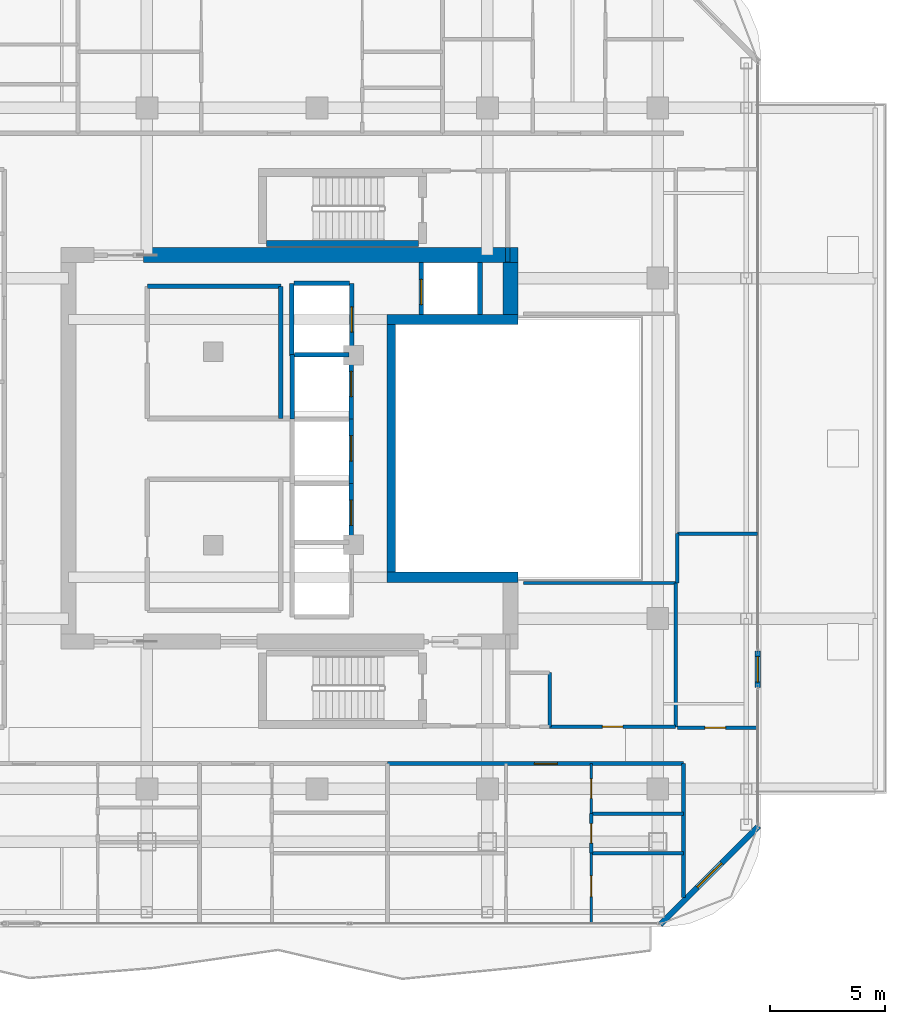
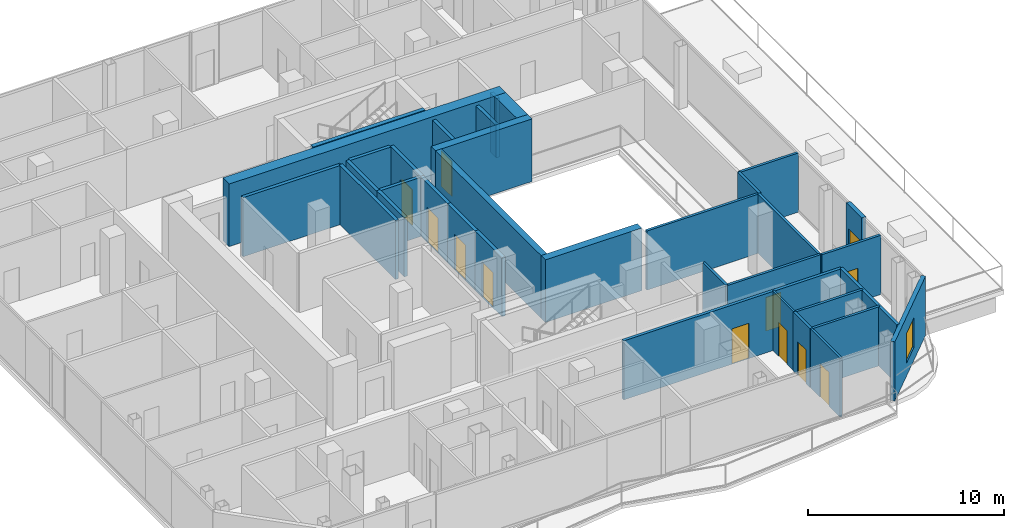
# One storey, part 19 of 24: 35 walls, 12 doors, 1 window, 13 openings.
"""IFC4 building model written with IfcOpenShell, lengths in metres."""

from ifc_helpers import new_model, si_unit, direction, frame, frame_2d, origin, place, context, subcontext, project, spatial, rectangle, extrude, material, layer, layer_set, type_object, element, fill, save


model = new_model("IFC4")

# Units and contexts
model_context = context("Model", 3, precision=1e-05, world=origin(), true_north=direction((0.0, 1.0)))
body_context = subcontext(model_context, "Body", "Model", "MODEL_VIEW")
ifc_project = project(units=[si_unit("LENGTHUNIT", "METRE"), si_unit("AREAUNIT", "SQUARE_METRE"), si_unit("VOLUMEUNIT", "CUBIC_METRE"), si_unit("PLANEANGLEUNIT", "RADIAN"), si_unit("MASSUNIT", "GRAM", prefix="KILO")], contexts=[model_context])

# Site, building, storey
site_placement = place(None, origin())
site = spatial("IfcSite", under=ifc_project, at=site_placement, CompositionType="ELEMENT")
building_placement = place(site_placement, origin())
building = spatial("IfcBuilding", under=site, at=building_placement, Name="Khorvyn Point Tower", CompositionType="ELEMENT")
storey_placement = place(building_placement, frame((0.0, 0.0, 285.89990234375)))
storey = spatial("IfcBuildingStorey", under=building, at=storey_placement, Name="L70", CompositionType="ELEMENT", Elevation=285.89990234375)

# Wall, opening, door
ifc_material_1 = material(Name="Double acoustic gypsum on twin steel stud", Category="steel")
ifc_layer_1 = layer(ifc_material_1, 0.179931640625)
ifc_layer_set_1 = layer_set([ifc_layer_1], Name="Acoustic Double-Stud Apartment Demising Wall 180")
wall_type_1 = type_object("IfcWallType", Name="Acoustic Double-Stud Apartment Demising Wall 180", PredefinedType="PARTITIONING", material=ifc_layer_set_1)
wall_1_placement = place(storey_placement, frame((3.06298828125, -13.699951171875, 0.0), z_axis=(0.0, 0.0, 1.0), x_axis=(1.0, 0.0, 0.0)))
wall_1 = element("IfcWall", 1, at=wall_1_placement, inside=storey, type_object=wall_type_1, Name="Wall", PredefinedType="PARTITIONING", context=body_context, shape_type="SweptSolid", body=[
    extrude(rectangle(XDim=12.85693359375, YDim=0.179931640625, at=frame_2d((6.428466796875, 0.0))), origin(), (0.0, 0.0, 1.0), 3.68017578125),
])
opening_1_placement = place(wall_1_placement, frame((6.372314453125, 0.0, 0.0)))
opening_1 = element("IfcOpeningElement", 2, at=opening_1_placement, cuts=wall_1, Name="Opening ID-AP60", PredefinedType="OPENING", context=body_context, shape_type="SweptSolid", body=[
    extrude(rectangle(XDim=1.0, YDim=2.199951171875, at=frame_2d((0.5, 1.10009765625))), frame((0.0, 0.099853515625, 0.0), z_axis=(0.0, -1.0, 0.0), x_axis=(1.0, 0.0, 0.0)), (0.0, 0.0, 1.0), 0.199951171875),
])
ifc_material_2 = material(Name="Engineered hardwood fire-rated leaf", Category="wood")
door_type_1 = type_object("IfcDoorType", Name="Acoustic Solid-Core Timber Apartment Entrance Door 1000x2200", OperationType="NOTDEFINED", PredefinedType="DOOR", material=ifc_material_2)
door_1_placement = place(opening_1_placement, origin())
door_1 = element("IfcDoor", 3, at=door_1_placement, inside=storey, type_object=door_type_1, Name="Door", OperationType="SINGLE_SWING_RIGHT", OverallHeight=2.199951171875, OverallWidth=1.0, PredefinedType="DOOR", context=body_context, shape_type="SweptSolid", body=[
    extrude(rectangle(XDim=1.0, YDim=2.199951171875, at=frame_2d((0.5, 1.10009765625))), frame((0.0, 0.02490234375, 0.0), z_axis=(0.0, -1.0, 0.0), x_axis=(1.0, 0.0, 0.0)), (0.0, 0.0, 1.0), 0.050048828125),
])
fill(opening_1, door_1)

# Wall
wall_2_placement = place(storey_placement, frame((15.919921875, -19.510009765625, 0.0), z_axis=(0.0, 0.0, 1.0), x_axis=(0.0, 1.0, 0.0)))
element("IfcWall", 4, at=wall_2_placement, inside=storey, type_object=wall_type_1, Name="Wall", PredefinedType="PARTITIONING", context=body_context, shape_type="SweptSolid", body=[
    extrude(rectangle(XDim=5.81005859375, YDim=0.179931640625, at=frame_2d((2.905029296875, 0.0))), origin(), (0.0, 0.0, 1.0), 3.68017578125),
])

# Wall, opening, door
ifc_material_3 = material(Name="Pale anodised aluminium rainscreen on steel stud", Category="steel")
ifc_layer_2 = layer(ifc_material_3, 0.239990234375)
ifc_layer_set_2 = layer_set([ifc_layer_2], Name="Anodised Aluminium Insulated Corner Spandrel Wall 240")
wall_type_2 = type_object("IfcWallType", Name="Anodised Aluminium Insulated Corner Spandrel Wall 240", PredefinedType="SOLIDWALL", material=ifc_layer_set_2)
wall_3_placement = place(storey_placement, frame((19.14990234375, -8.81494140625, 0.0), z_axis=(0.0, 0.0, 1.0), x_axis=(0.0, -1.0, 0.0)))
wall_3 = element("IfcWall", 5, at=wall_3_placement, inside=storey, type_object=wall_type_2, Name="L70 East Outdoor Threshold Wall", PredefinedType="SOLIDWALL", context=body_context, shape_type="SweptSolid", body=[
    extrude(rectangle(XDim=1.580078125, YDim=0.239990234375, at=frame_2d((0.7900390625, 0.0))), origin(), (0.0, 0.0, 1.0), 3.68017578125),
])
opening_2_placement = place(wall_3_placement, frame((0.239990234375, 0.0, 0.0)))
opening_2 = element("IfcOpeningElement", 6, at=opening_2_placement, cuts=wall_3, Name="Opening BD-1122", PredefinedType="OPENING", context=body_context, shape_type="SweptSolid", body=[
    extrude(rectangle(XDim=1.10009765625, YDim=2.199951171875, at=frame_2d((0.550048828125, 1.10009765625))), frame((0.0, 0.1298828125, 0.0), z_axis=(0.0, -1.0, 0.0), x_axis=(1.0, 0.0, 0.0)), (0.0, 0.0, 1.0), 0.260009765625),
])
ifc_material_4 = material(Name="Anodised aluminium 6063-T6 and laminated Low-E glass", Category="aluminium")
door_type_2 = type_object("IfcDoorType", Name="Glazed Balcony and Terrace Threshold Door 1100x2200", OperationType="NOTDEFINED", PredefinedType="DOOR", material=ifc_material_4)
door_2_placement = place(opening_2_placement, origin())
door_2 = element("IfcDoor", 7, at=door_2_placement, inside=storey, type_object=door_type_2, Name="L70 East Terrace Outdoor Door", OperationType="SINGLE_SWING_RIGHT", OverallHeight=2.199951171875, OverallWidth=1.10009765625, PredefinedType="DOOR", context=body_context, shape_type="SweptSolid", body=[
    extrude(rectangle(XDim=1.10009765625, YDim=2.199951171875, at=frame_2d((0.550048828125, 1.10009765625))), frame((0.0, 0.02490234375, 0.0), z_axis=(0.0, -1.0, 0.0), x_axis=(1.0, 0.0, 0.0)), (0.0, 0.0, 1.0), 0.050048828125),
])
fill(opening_2, door_2)

# Wall, opening, window
wall_4_placement = place(storey_placement, frame((19.1923828125, -16.40771484375, 0.0), z_axis=(0.0, 0.0, 1.0), x_axis=(-0.707106781187, -0.707106781187, 0.0)))
wall_4 = element("IfcWall", 8, at=wall_4_placement, inside=storey, type_object=wall_type_2, Name="L70 Rounded Corner Wall SE", PredefinedType="SOLIDWALL", context=body_context, shape_type="SweptSolid", body=[
    extrude(rectangle(XDim=6.059326171875, YDim=0.239990234375, at=frame_2d((3.02978515625, 0.0))), origin(), (0.0, 0.0, 1.0), 3.68017578125),
])
opening_3_placement = place(wall_4_placement, frame((2.27978515625, 0.0, 0.800048828125)))
opening_3 = element("IfcOpeningElement", 9, at=opening_3_placement, cuts=wall_4, Name="Opening WN-1518", PredefinedType="OPENING", context=body_context, shape_type="SweptSolid", body=[
    extrude(rectangle(XDim=1.5, YDim=1.85009765625, at=frame_2d((0.75, 0.925048828125))), frame((0.0, 0.1298828125, 0.0), z_axis=(0.0, -1.0, 0.0), x_axis=(1.0, 0.0, 0.0)), (0.0, 0.0, 1.0), 0.260009765625),
])
window_type = type_object("IfcWindowType", Name="Anodised Aluminium Rounded-Corner Panoramic Window 1500x1850", PartitioningType="SINGLE_PANEL", PredefinedType="WINDOW", material=ifc_material_4)
window_placement = place(opening_3_placement, origin())
window = element("IfcWindow", 10, at=window_placement, inside=storey, type_object=window_type, Name="L70 Corner Panoramic Window SE", OverallHeight=1.85009765625, OverallWidth=1.5, PartitioningType="SINGLE_PANEL", PredefinedType="WINDOW", context=body_context, shape_type="SweptSolid", body=[
    extrude(rectangle(XDim=1.5, YDim=1.85009765625, at=frame_2d((0.75, 0.925048828125))), frame((0.0, 0.030029296875, 0.0), z_axis=(0.0, -1.0, 0.0), x_axis=(1.0, 0.0, 0.0)), (0.0, 0.0, 1.0), 0.06005859375),
])
fill(opening_3, window)

# Walls
ifc_material_5 = material(Name="Concrete C40/50", Category="concrete")
ifc_layer_3 = layer(ifc_material_5, 0.449951171875)
ifc_layer_set_3 = layer_set([ifc_layer_3], Name="Concrete C40/50 Core Shear Wall 450")
wall_type_3 = type_object("IfcWallType", Name="Concrete C40/50 Core Shear Wall 450", PredefinedType="SHEAR", material=ifc_layer_set_3)
for number, where, z_axis, x_axis, name in (
    (11, (3.044921875, -5.60009765625, 0.0), (0.0, 0.0, 1.0), (1.0, 0.0, 0.0), "Wall"),
    (12, (3.044921875, 5.60009765625, 0.0), (0.0, 0.0, 1.0), (1.0, 0.0, 0.0), "Wall"),
):
    element("IfcWall", number, at=place(storey_placement, frame(where, z_axis=z_axis, x_axis=x_axis)), inside=storey, type_object=wall_type_3, Name=name, PredefinedType="SHEAR", context=body_context, shape_type="SweptSolid", body=[
        extrude(rectangle(XDim=5.68017578125, YDim=0.449951171875, at=frame_2d((2.840087890625, 0.0))), origin(), (0.0, 0.0, 1.0), 3.900146484375),
    ])
ifc_layer_4 = layer(ifc_material_5, 0.64990234375)
ifc_layer_set_4 = layer_set([ifc_layer_4], Name="Concrete C40/50 Core Shear Wall 650")
wall_type_4 = type_object("IfcWallType", Name="Concrete C40/50 Core Shear Wall 650", PredefinedType="SHEAR", material=ifc_layer_set_4)
wall_5_placement = place(storey_placement, frame((-7.550048828125, 8.39990234375, 0.0), z_axis=(0.0, 0.0, 1.0), x_axis=(1.0, 0.0, 0.0)))
element("IfcWall", 13, at=wall_5_placement, inside=storey, type_object=wall_type_4, Name="Wall", PredefinedType="SHEAR", context=body_context, shape_type="SweptSolid", body=[
    extrude(rectangle(XDim=16.275146484375, YDim=0.64990234375, at=frame_2d((8.1376953125, 0.0))), origin(), (0.0, 0.0, 1.0), 3.900146484375),
])
wall_6_placement = place(storey_placement, frame((8.39990234375, 5.824951171875, 0.0), z_axis=(0.0, 0.0, 1.0), x_axis=(0.0, 1.0, 0.0)))
element("IfcWall", 14, at=wall_6_placement, inside=storey, type_object=wall_type_4, Name="Wall", PredefinedType="SHEAR", context=body_context, shape_type="SweptSolid", body=[
    extrude(rectangle(XDim=2.25, YDim=0.64990234375, at=frame_2d((1.125, 0.0))), origin(), (0.0, 0.0, 1.0), 3.900146484375),
])
ifc_layer_5 = layer(ifc_material_5, 0.199951171875)
ifc_layer_set_5 = layer_set([ifc_layer_5], Name="Concrete C40/50 Fire-Lobby Compartment Wall 200")
wall_type_5 = type_object("IfcWallType", Name="Concrete C40/50 Fire-Lobby Compartment Wall 200", PredefinedType="SOLIDWALL", material=ifc_layer_set_5)
wall_7_placement = place(storey_placement, frame((-1.580078125, 1.300048828125, 0.0), z_axis=(0.0, 0.0, 1.0), x_axis=(0.0, 1.0, 0.0)))
element("IfcWall", 15, at=wall_7_placement, inside=storey, type_object=wall_type_5, Name="Wall", PredefinedType="SOLIDWALL", context=body_context, shape_type="SweptSolid", body=[
    extrude(rectangle(XDim=5.739990234375, YDim=0.199951171875, at=frame_2d((2.8701171875, 0.0))), origin(), (0.0, 0.0, 1.0), 3.68017578125),
])
wall_8_placement = place(storey_placement, frame((-7.3798828125, 7.0400390625, 0.0), z_axis=(0.0, 0.0, 1.0), x_axis=(1.0, 0.0, 0.0)))
element("IfcWall", 16, at=wall_8_placement, inside=storey, type_object=wall_type_5, Name="Wall", PredefinedType="SOLIDWALL", context=body_context, shape_type="SweptSolid", body=[
    extrude(rectangle(XDim=5.7998046875, YDim=0.199951171875, at=frame_2d((2.89990234375, 0.0))), origin(), (0.0, 0.0, 1.0), 3.68017578125),
])
wall_9_placement = place(storey_placement, frame((8.280029296875, 8.10009765625, 0.0), z_axis=(0.0, 0.0, 1.0), x_axis=(0.0, 1.0, 0.0)))
element("IfcWall", 17, at=wall_9_placement, inside=storey, type_object=wall_type_5, Name="Wall", PredefinedType="SOLIDWALL", context=body_context, shape_type="SweptSolid", body=[
    extrude(rectangle(XDim=0.625, YDim=0.199951171875, at=frame_2d((0.3125, 0.0))), origin(), (0.0, 0.0, 1.0), 3.68017578125),
])
ifc_layer_6 = layer(ifc_material_5, 0.25)
ifc_layer_set_6 = layer_set([ifc_layer_6], Name="Concrete C40/50 Stair Inner Cheek Structural Wall 250")
wall_type_6 = type_object("IfcWallType", Name="Concrete C40/50 Stair Inner Cheek Structural Wall 250", PredefinedType="SHEAR", material=ifc_layer_set_6)
wall_10_placement = place(storey_placement, frame((-2.199951171875, 8.89990234375, 0.0), z_axis=(0.0, 0.0, 1.0), x_axis=(1.0, 0.0, 0.0)))
element("IfcWall", 18, at=wall_10_placement, inside=storey, type_object=wall_type_6, Name="Wall", PredefinedType="SHEAR", context=body_context, shape_type="SweptSolid", body=[
    extrude(rectangle(XDim=6.599853515625, YDim=0.25, at=frame_2d((3.2998046875, 0.0))), origin(), (0.0, 0.0, 1.0), 3.900146484375),
])
ifc_layer_7 = layer(ifc_material_5, 0.35009765625)
ifc_layer_set_7 = layer_set([ifc_layer_7], Name="Concrete C40/50 Stair Shaft Structural Wall 350")
wall_type_7 = type_object("IfcWallType", Name="Concrete C40/50 Stair Shaft Structural Wall 350", PredefinedType="SHEAR", material=ifc_layer_set_7)
wall_11_placement = place(storey_placement, frame((3.219970703125, -5.375, 0.0), z_axis=(0.0, 0.0, 1.0), x_axis=(0.0, 1.0, 0.0)))
element("IfcWall", 19, at=wall_11_placement, inside=storey, type_object=wall_type_7, Name="Wall", PredefinedType="SHEAR", context=body_context, shape_type="SweptSolid", body=[
    extrude(rectangle(XDim=10.75, YDim=0.35009765625, at=frame_2d((5.375, 0.0))), origin(), (0.0, 0.0, 1.0), 3.900146484375),
])

# Wall, opening, door
ifc_layer_8 = layer(ifc_material_5, 0.199951171875)
ifc_layer_set_8 = layer_set([ifc_layer_8], Name="Concrete C40/50 Structural Hoistway and Stair Shaft Wall 200")
wall_type_8 = type_object("IfcWallType", Name="Concrete C40/50 Structural Hoistway and Stair Shaft Wall 200", PredefinedType="SHEAR", material=ifc_layer_set_8)
wall_12_placement = place(storey_placement, frame((1.47509765625, -4.27490234375, 0.0), z_axis=(0.0, 0.0, 1.0), x_axis=(0.0, 1.0, 0.0)))
wall_12 = element("IfcWall", 20, at=wall_12_placement, inside=storey, type_object=wall_type_8, Name="Wall", PredefinedType="SHEAR", context=body_context, shape_type="SweptSolid", body=[
    extrude(rectangle(XDim=2.75, YDim=0.199951171875, at=frame_2d((1.375, 0.0))), origin(), (0.0, 0.0, 1.0), 3.68017578125),
])
opening_4_placement = place(wall_12_placement, frame((0.925048828125, 0.0, 0.0)))
opening_4 = element("IfcOpeningElement", 21, at=opening_4_placement, cuts=wall_12, Name="Opening LD-1122", PredefinedType="OPENING", context=body_context, shape_type="SweptSolid", body=[
    extrude(rectangle(XDim=1.10009765625, YDim=2.199951171875, at=frame_2d((0.550048828125, 1.10009765625))), frame((0.0, 0.10986328125, 0.0), z_axis=(0.0, -1.0, 0.0), x_axis=(1.0, 0.0, 0.0)), (0.0, 0.0, 1.0), 0.219970703125),
])
ifc_material_6 = material(Name="Stainless steel 1.4301", Category="steel")
door_type_3 = type_object("IfcDoorType", Name="Stainless Steel Automatic Sliding Lift Landing Door 1100x2200", OperationType="SLIDING_TO_LEFT", PredefinedType="DOOR", material=ifc_material_6)
door_3_placement = place(opening_4_placement, origin())
door_3 = element("IfcDoor", 22, at=door_3_placement, inside=storey, type_object=door_type_3, Name="L70 RH-01 Sliding Lift Landing Door", OperationType="SLIDING_TO_LEFT", OverallHeight=2.199951171875, OverallWidth=1.10009765625, PredefinedType="DOOR", context=body_context, shape_type="SweptSolid", body=[
    extrude(rectangle(XDim=1.10009765625, YDim=2.199951171875, at=frame_2d((0.550048828125, 1.10009765625))), frame((0.0, 0.02490234375, 0.0), z_axis=(0.0, -1.0, 0.0), x_axis=(1.0, 0.0, 0.0)), (0.0, 0.0, 1.0), 0.050048828125),
])
fill(opening_4, door_3)

wall_13_placement = place(storey_placement, frame((1.47509765625, -1.52490234375, 0.0), z_axis=(0.0, 0.0, 1.0), x_axis=(0.0, 1.0, 0.0)))
wall_13 = element("IfcWall", 23, at=wall_13_placement, inside=storey, type_object=wall_type_8, Name="Wall", PredefinedType="SHEAR", context=body_context, shape_type="SweptSolid", body=[
    extrude(rectangle(XDim=2.7998046875, YDim=0.199951171875, at=frame_2d((1.39990234375, 0.0))), origin(), (0.0, 0.0, 1.0), 3.68017578125),
])
opening_5_placement = place(wall_13_placement, frame((0.97509765625, 0.0, 0.0)))
opening_5 = element("IfcOpeningElement", 24, at=opening_5_placement, cuts=wall_13, Name="Opening LD-1122", PredefinedType="OPENING", context=body_context, shape_type="SweptSolid", body=[
    extrude(rectangle(XDim=1.10009765625, YDim=2.199951171875, at=frame_2d((0.550048828125, 1.10009765625))), frame((0.0, 0.10986328125, 0.0), z_axis=(0.0, -1.0, 0.0), x_axis=(1.0, 0.0, 0.0)), (0.0, 0.0, 1.0), 0.219970703125),
])
door_4_placement = place(opening_5_placement, origin())
door_4 = element("IfcDoor", 25, at=door_4_placement, inside=storey, type_object=door_type_3, Name="L70 RH-02 Sliding Lift Landing Door", OperationType="SLIDING_TO_LEFT", OverallHeight=2.199951171875, OverallWidth=1.10009765625, PredefinedType="DOOR", context=body_context, shape_type="SweptSolid", body=[
    extrude(rectangle(XDim=1.10009765625, YDim=2.199951171875, at=frame_2d((0.550048828125, 1.10009765625))), frame((0.0, 0.02490234375, 0.0), z_axis=(0.0, -1.0, 0.0), x_axis=(1.0, 0.0, 0.0)), (0.0, 0.0, 1.0), 0.050048828125),
])
fill(opening_5, door_4)

# Wall
wall_14_placement = place(storey_placement, frame((-1.074951171875, 1.27490234375, 0.0), z_axis=(0.0, 0.0, 1.0), x_axis=(0.0, 1.0, 0.0)))
element("IfcWall", 26, at=wall_14_placement, inside=storey, type_object=wall_type_8, Name="Wall", PredefinedType="SHEAR", context=body_context, shape_type="SweptSolid", body=[
    extrude(rectangle(XDim=2.800048828125, YDim=0.199951171875, at=frame_2d((1.39990234375, 0.0))), origin(), (0.0, 0.0, 1.0), 3.68017578125),
])

# Wall, opening, door
wall_15_placement = place(storey_placement, frame((1.47509765625, 1.27490234375, 0.0), z_axis=(0.0, 0.0, 1.0), x_axis=(0.0, 1.0, 0.0)))
wall_15 = element("IfcWall", 27, at=wall_15_placement, inside=storey, type_object=wall_type_8, Name="Wall", PredefinedType="SHEAR", context=body_context, shape_type="SweptSolid", body=[
    extrude(rectangle(XDim=2.800048828125, YDim=0.199951171875, at=frame_2d((1.39990234375, 0.0))), origin(), (0.0, 0.0, 1.0), 3.68017578125),
])
opening_6_placement = place(wall_15_placement, frame((0.97509765625, 0.0, 0.0)))
opening_6 = element("IfcOpeningElement", 28, at=opening_6_placement, cuts=wall_15, Name="Opening LD-1122", PredefinedType="OPENING", context=body_context, shape_type="SweptSolid", body=[
    extrude(rectangle(XDim=1.10009765625, YDim=2.199951171875, at=frame_2d((0.550048828125, 1.10009765625))), frame((0.0, 0.10986328125, 0.0), z_axis=(0.0, -1.0, 0.0), x_axis=(1.0, 0.0, 0.0)), (0.0, 0.0, 1.0), 0.219970703125),
])
door_5_placement = place(opening_6_placement, origin())
door_5 = element("IfcDoor", 29, at=door_5_placement, inside=storey, type_object=door_type_3, Name="L70 RH-03 Sliding Lift Landing Door", OperationType="SLIDING_TO_LEFT", OverallHeight=2.199951171875, OverallWidth=1.10009765625, PredefinedType="DOOR", context=body_context, shape_type="SweptSolid", body=[
    extrude(rectangle(XDim=1.10009765625, YDim=2.199951171875, at=frame_2d((0.550048828125, 1.10009765625))), frame((0.0, 0.02490234375, 0.0), z_axis=(0.0, -1.0, 0.0), x_axis=(1.0, 0.0, 0.0)), (0.0, 0.0, 1.0), 0.050048828125),
])
fill(opening_6, door_5)

# Walls
wall_16_placement = place(storey_placement, frame((-0.97509765625, 4.074951171875, 0.0), z_axis=(0.0, 0.0, 1.0), x_axis=(1.0, 0.0, 0.0)))
element("IfcWall", 30, at=wall_16_placement, inside=storey, type_object=wall_type_8, Name="Wall", PredefinedType="SHEAR", context=body_context, shape_type="SweptSolid", body=[
    extrude(rectangle(XDim=2.35009765625, YDim=0.199951171875, at=frame_2d((1.175048828125, 0.0))), origin(), (0.0, 0.0, 1.0), 3.68017578125),
])
wall_17_placement = place(storey_placement, frame((-1.10009765625, 4.02490234375, 0.0), z_axis=(0.0, 0.0, 1.0), x_axis=(0.0, 1.0, 0.0)))
element("IfcWall", 31, at=wall_17_placement, inside=storey, type_object=wall_type_8, Name="Wall", PredefinedType="SHEAR", context=body_context, shape_type="SweptSolid", body=[
    extrude(rectangle(XDim=3.150146484375, YDim=0.199951171875, at=frame_2d((1.5751953125, 0.0))), origin(), (0.0, 0.0, 1.0), 3.68017578125),
])

# Wall, opening, door
wall_18_placement = place(storey_placement, frame((1.5, 4.02490234375, 0.0), z_axis=(0.0, 0.0, 1.0), x_axis=(0.0, 1.0, 0.0)))
wall_18 = element("IfcWall", 32, at=wall_18_placement, inside=storey, type_object=wall_type_8, Name="Wall", PredefinedType="SHEAR", context=body_context, shape_type="SweptSolid", body=[
    extrude(rectangle(XDim=3.150146484375, YDim=0.199951171875, at=frame_2d((1.5751953125, 0.0))), origin(), (0.0, 0.0, 1.0), 3.68017578125),
])
opening_7_placement = place(wall_18_placement, frame((1.02490234375, 0.0, 0.0)))
opening_7 = element("IfcOpeningElement", 33, at=opening_7_placement, cuts=wall_18, Name="Opening LD-1122", PredefinedType="OPENING", context=body_context, shape_type="SweptSolid", body=[
    extrude(rectangle(XDim=1.10009765625, YDim=2.199951171875, at=frame_2d((0.550048828125, 1.10009765625))), frame((0.0, 0.10986328125, 0.0), z_axis=(0.0, -1.0, 0.0), x_axis=(1.0, 0.0, 0.0)), (0.0, 0.0, 1.0), 0.219970703125),
])
door_6_placement = place(opening_7_placement, origin())
door_6 = element("IfcDoor", 34, at=door_6_placement, inside=storey, type_object=door_type_3, Name="L70 SV-01 Sliding Lift Landing Door", OperationType="SLIDING_TO_LEFT", OverallHeight=2.199951171875, OverallWidth=1.10009765625, PredefinedType="DOOR", context=body_context, shape_type="SweptSolid", body=[
    extrude(rectangle(XDim=1.10009765625, YDim=2.199951171875, at=frame_2d((0.550048828125, 1.10009765625))), frame((0.0, 0.02490234375, 0.0), z_axis=(0.0, -1.0, 0.0), x_axis=(1.0, 0.0, 0.0)), (0.0, 0.0, 1.0), 0.050048828125),
])
fill(opening_7, door_6)

# Wall
wall_19_placement = place(storey_placement, frame((-1.0, 7.175048828125, 0.0), z_axis=(0.0, 0.0, 1.0), x_axis=(1.0, 0.0, 0.0)))
element("IfcWall", 35, at=wall_19_placement, inside=storey, type_object=wall_type_8, Name="Wall", PredefinedType="SHEAR", context=body_context, shape_type="SweptSolid", body=[
    extrude(rectangle(XDim=2.39990234375, YDim=0.199951171875, at=frame_2d((1.199951171875, 0.0))), origin(), (0.0, 0.0, 1.0), 3.68017578125),
])

# Wall, opening, door
wall_20_placement = place(storey_placement, frame((4.52490234375, 5.824951171875, 0.0), z_axis=(0.0, 0.0, 1.0), x_axis=(0.0, 1.0, 0.0)))
wall_20 = element("IfcWall", 36, at=wall_20_placement, inside=storey, type_object=wall_type_8, Name="Wall", PredefinedType="SHEAR", context=body_context, shape_type="SweptSolid", body=[
    extrude(rectangle(XDim=2.25, YDim=0.199951171875, at=frame_2d((1.125, 0.0))), origin(), (0.0, 0.0, 1.0), 3.68017578125),
])
opening_8_placement = place(wall_20_placement, frame((0.425048828125, 0.0, 0.0)))
opening_8 = element("IfcOpeningElement", 37, at=opening_8_placement, cuts=wall_20, Name="Opening LD-1122", PredefinedType="OPENING", context=body_context, shape_type="SweptSolid", body=[
    extrude(rectangle(XDim=1.10009765625, YDim=2.199951171875, at=frame_2d((0.550048828125, 1.10009765625))), frame((0.0, 0.10986328125, 0.0), z_axis=(0.0, -1.0, 0.0), x_axis=(1.0, 0.0, 0.0)), (0.0, 0.0, 1.0), 0.219970703125),
])
door_7_placement = place(opening_8_placement, origin())
door_7 = element("IfcDoor", 38, at=door_7_placement, inside=storey, type_object=door_type_3, Name="L70 FF-02 Sliding Lift Landing Door", OperationType="SLIDING_TO_LEFT", OverallHeight=2.199951171875, OverallWidth=1.10009765625, PredefinedType="DOOR", context=body_context, shape_type="SweptSolid", body=[
    extrude(rectangle(XDim=1.10009765625, YDim=2.199951171875, at=frame_2d((0.550048828125, 1.10009765625))), frame((0.0, 0.02490234375, 0.0), z_axis=(0.0, -1.0, 0.0), x_axis=(1.0, 0.0, 0.0)), (0.0, 0.0, 1.0), 0.050048828125),
])
fill(opening_8, door_7)

# Wall
wall_21_placement = place(storey_placement, frame((7.074951171875, 5.824951171875, 0.0), z_axis=(0.0, 0.0, 1.0), x_axis=(0.0, 1.0, 0.0)))
element("IfcWall", 39, at=wall_21_placement, inside=storey, type_object=wall_type_8, Name="Wall", PredefinedType="SHEAR", context=body_context, shape_type="SweptSolid", body=[
    extrude(rectangle(XDim=2.25, YDim=0.199951171875, at=frame_2d((1.125, 0.0))), origin(), (0.0, 0.0, 1.0), 3.68017578125),
])

# Wall, opening, door
ifc_material_7 = material(Name="Gypsum plasterboard on steel stud", Category="steel")
ifc_layer_9 = layer(ifc_material_7, 0.1201171875)
ifc_layer_set_9 = layer_set([ifc_layer_9], Name="Gypsum Acoustic Stud Room Partition Wall 120")
wall_type_9 = type_object("IfcWallType", Name="Gypsum Acoustic Stud Room Partition Wall 120", PredefinedType="PARTITIONING", material=ifc_layer_set_9)
wall_22_placement = place(storey_placement, frame((11.907958984375, -15.8779296875, 0.0), z_axis=(0.0, 0.0, 1.0), x_axis=(0.0, 1.0, 0.0)))
wall_22 = element("IfcWall", 40, at=wall_22_placement, inside=storey, type_object=wall_type_9, Name="Wall", PredefinedType="PARTITIONING", context=body_context, shape_type="SweptSolid", body=[
    extrude(rectangle(XDim=2.177978515625, YDim=0.1201171875, at=frame_2d((1.0888671875, 0.0))), origin(), (0.0, 0.0, 1.0), 3.68017578125),
])
opening_9_placement = place(wall_22_placement, frame((0.6640625, 0.0, 0.0)))
opening_9 = element("IfcOpeningElement", 41, at=opening_9_placement, cuts=wall_22, Name="Opening ID-WC85", PredefinedType="OPENING", context=body_context, shape_type="SweptSolid", body=[
    extrude(rectangle(XDim=0.85009765625, YDim=2.10009765625, at=frame_2d((0.425048828125, 1.050048828125))), frame((0.0, 0.070068359375, 0.0), z_axis=(0.0, -1.0, 0.0), x_axis=(1.0, 0.0, 0.0)), (0.0, 0.0, 1.0), 0.14013671875),
])
ifc_material_8 = material(Name="High-pressure laminate on moisture-resistant core", Category="wood")
door_type_4 = type_object("IfcDoorType", Name="Moisture-Resistant Accessible Washroom Door 850x2100", OperationType="NOTDEFINED", PredefinedType="DOOR", material=ifc_material_8)
door_8_placement = place(opening_9_placement, origin())
door_8 = element("IfcDoor", 42, at=door_8_placement, inside=storey, type_object=door_type_4, Name="Door", OperationType="SINGLE_SWING_RIGHT", OverallHeight=2.10009765625, OverallWidth=0.85009765625, PredefinedType="DOOR", context=body_context, shape_type="SweptSolid", body=[
    extrude(rectangle(XDim=0.85009765625, YDim=2.10009765625, at=frame_2d((0.425048828125, 1.050048828125))), frame((0.0, 0.02490234375, 0.0), z_axis=(0.0, -1.0, 0.0), x_axis=(1.0, 0.0, 0.0)), (0.0, 0.0, 1.0), 0.050048828125),
])
fill(opening_9, door_8)

wall_23_placement = place(storey_placement, frame((11.907958984375, -20.6298828125, 0.0), z_axis=(0.0, 0.0, 1.0), x_axis=(0.0, 1.0, 0.0)))
wall_23 = element("IfcWall", 43, at=wall_23_placement, inside=storey, type_object=wall_type_9, Name="Wall", PredefinedType="PARTITIONING", context=body_context, shape_type="SweptSolid", body=[
    extrude(rectangle(XDim=3.039794921875, YDim=0.1201171875, at=frame_2d((1.52001953125, 0.0))), origin(), (0.0, 0.0, 1.0), 3.68017578125),
])
opening_10_placement = place(wall_23_placement, frame((1.152587890625, 0.0, 0.0)))
opening_10 = element("IfcOpeningElement", 44, at=opening_10_placement, cuts=wall_23, Name="Opening ID-RM90", PredefinedType="OPENING", context=body_context, shape_type="SweptSolid", body=[
    extrude(rectangle(XDim=0.89990234375, YDim=2.10009765625, at=frame_2d((0.449951171875, 1.050048828125))), frame((0.0, 0.070068359375, 0.0), z_axis=(0.0, -1.0, 0.0), x_axis=(1.0, 0.0, 0.0)), (0.0, 0.0, 1.0), 0.14013671875),
])
ifc_material_9 = material(Name="Engineered oak veneer timber", Category="wood")
door_type_5 = type_object("IfcDoorType", Name="Flush Engineered Timber Room Door 900x2100", OperationType="NOTDEFINED", PredefinedType="DOOR", material=ifc_material_9)
door_9_placement = place(opening_10_placement, origin())
door_9 = element("IfcDoor", 45, at=door_9_placement, inside=storey, type_object=door_type_5, Name="Door", OperationType="SINGLE_SWING_LEFT", OverallHeight=2.10009765625, OverallWidth=0.89990234375, PredefinedType="DOOR", context=body_context, shape_type="SweptSolid", body=[
    extrude(rectangle(XDim=0.89990234375, YDim=2.10009765625, at=frame_2d((0.449951171875, 1.050048828125))), frame((0.0, 0.02490234375, 0.0), z_axis=(0.0, -1.0, 0.0), x_axis=(1.0, 0.0, 0.0)), (0.0, 0.0, 1.0), 0.050048828125),
])
fill(opening_10, door_9)

ifc_material_10 = material(Name="Moisture-resistant gypsum and cement board", Category="gypsum")
ifc_layer_10 = layer(ifc_material_10, 0.14990234375)
ifc_layer_set_10 = layer_set([ifc_layer_10], Name="Moisture-Resistant Wet-Room Partition Wall 150")
wall_type_10 = type_object("IfcWallType", Name="Moisture-Resistant Wet-Room Partition Wall 150", PredefinedType="PARTITIONING", material=ifc_layer_set_10)
wall_24_placement = place(storey_placement, frame((10.10009765625, -12.10009765625, 0.0), z_axis=(0.0, 0.0, 1.0), x_axis=(1.0, 0.0, 0.0)))
wall_24 = element("IfcWall", 46, at=wall_24_placement, inside=storey, type_object=wall_type_10, Name="Wall", PredefinedType="PARTITIONING", context=body_context, shape_type="SweptSolid", body=[
    extrude(rectangle(XDim=5.47998046875, YDim=0.14990234375, at=frame_2d((2.739990234375, 0.0))), origin(), (0.0, 0.0, 1.0), 3.68017578125),
])
opening_11_placement = place(wall_24_placement, frame((2.2900390625, 0.0, 0.0)))
opening_11 = element("IfcOpeningElement", 47, at=opening_11_placement, cuts=wall_24, Name="Opening ID-RM90", PredefinedType="OPENING", context=body_context, shape_type="SweptSolid", body=[
    extrude(rectangle(XDim=0.89990234375, YDim=2.10009765625, at=frame_2d((0.449951171875, 1.050048828125))), frame((0.0, 0.0849609375, 0.0), z_axis=(0.0, -1.0, 0.0), x_axis=(1.0, 0.0, 0.0)), (0.0, 0.0, 1.0), 0.169921875),
])
door_10_placement = place(opening_11_placement, origin())
door_10 = element("IfcDoor", 48, at=door_10_placement, inside=storey, type_object=door_type_5, Name="Door", OperationType="SINGLE_SWING_LEFT", OverallHeight=2.10009765625, OverallWidth=0.89990234375, PredefinedType="DOOR", context=body_context, shape_type="SweptSolid", body=[
    extrude(rectangle(XDim=0.89990234375, YDim=2.10009765625, at=frame_2d((0.449951171875, 1.050048828125))), frame((0.0, 0.02490234375, 0.0), z_axis=(0.0, -1.0, 0.0), x_axis=(1.0, 0.0, 0.0)), (0.0, 0.0, 1.0), 0.050048828125),
])
fill(opening_11, door_10)

wall_25_placement = place(storey_placement, frame((11.907958984375, -17.590087890625, 0.0), z_axis=(0.0, 0.0, 1.0), x_axis=(0.0, 1.0, 0.0)))
wall_25 = element("IfcWall", 49, at=wall_25_placement, inside=storey, type_object=wall_type_10, Name="Wall", PredefinedType="PARTITIONING", context=body_context, shape_type="SweptSolid", body=[
    extrude(rectangle(XDim=1.712158203125, YDim=0.14990234375, at=frame_2d((0.85595703125, 0.0))), origin(), (0.0, 0.0, 1.0), 3.68017578125),
])
opening_12_placement = place(wall_25_placement, frame((0.430908203125, 0.0, 0.0)))
opening_12 = element("IfcOpeningElement", 50, at=opening_12_placement, cuts=wall_25, Name="Opening ID-WC85", PredefinedType="OPENING", context=body_context, shape_type="SweptSolid", body=[
    extrude(rectangle(XDim=0.85009765625, YDim=2.10009765625, at=frame_2d((0.425048828125, 1.050048828125))), frame((0.0, 0.0849609375, 0.0), z_axis=(0.0, -1.0, 0.0), x_axis=(1.0, 0.0, 0.0)), (0.0, 0.0, 1.0), 0.169921875),
])
door_11_placement = place(opening_12_placement, origin())
door_11 = element("IfcDoor", 51, at=door_11_placement, inside=storey, type_object=door_type_4, Name="Door", OperationType="SINGLE_SWING_LEFT", OverallHeight=2.10009765625, OverallWidth=0.85009765625, PredefinedType="DOOR", context=body_context, shape_type="SweptSolid", body=[
    extrude(rectangle(XDim=0.85009765625, YDim=2.10009765625, at=frame_2d((0.425048828125, 1.050048828125))), frame((0.0, 0.02490234375, 0.0), z_axis=(0.0, -1.0, 0.0), x_axis=(1.0, 0.0, 0.0)), (0.0, 0.0, 1.0), 0.050048828125),
])
fill(opening_12, door_11)

wall_26_placement = place(storey_placement, frame((15.64990234375, -12.139892578125, 0.0), z_axis=(0.0, 0.0, 1.0), x_axis=(1.0, 0.0, 0.0)))
wall_26 = element("IfcWall", 52, at=wall_26_placement, inside=storey, type_object=wall_type_10, Name="Wall", PredefinedType="PARTITIONING", context=body_context, shape_type="SweptSolid", body=[
    extrude(rectangle(XDim=3.47021484375, YDim=0.14990234375, at=frame_2d((1.735107421875, 0.0))), origin(), (0.0, 0.0, 1.0), 3.68017578125),
])
opening_13_placement = place(wall_26_placement, frame((1.198486328125, 0.0, 0.0)))
opening_13 = element("IfcOpeningElement", 53, at=opening_13_placement, cuts=wall_26, Name="Opening ID-RM90", PredefinedType="OPENING", context=body_context, shape_type="SweptSolid", body=[
    extrude(rectangle(XDim=0.89990234375, YDim=2.10009765625, at=frame_2d((0.449951171875, 1.050048828125))), frame((0.0, 0.0849609375, 0.0), z_axis=(0.0, -1.0, 0.0), x_axis=(1.0, 0.0, 0.0)), (0.0, 0.0, 1.0), 0.169921875),
])
door_12_placement = place(opening_13_placement, origin())
door_12 = element("IfcDoor", 54, at=door_12_placement, inside=storey, type_object=door_type_5, Name="Door", OperationType="SINGLE_SWING_RIGHT", OverallHeight=2.10009765625, OverallWidth=0.89990234375, PredefinedType="DOOR", context=body_context, shape_type="SweptSolid", body=[
    extrude(rectangle(XDim=0.89990234375, YDim=2.10009765625, at=frame_2d((0.449951171875, 1.050048828125))), frame((0.0, 0.02490234375, 0.0), z_axis=(0.0, -1.0, 0.0), x_axis=(1.0, 0.0, 0.0)), (0.0, 0.0, 1.0), 0.050048828125),
])
fill(opening_13, door_12)

# Walls
wall_27_placement = place(storey_placement, frame((10.10009765625, -12.10009765625, 0.0), z_axis=(0.0, 0.0, 1.0), x_axis=(0.0, 1.0, 0.0)))
element("IfcWall", 55, at=wall_27_placement, inside=storey, type_object=wall_type_10, Name="Wall", PredefinedType="PARTITIONING", context=body_context, shape_type="SweptSolid", body=[
    extrude(rectangle(XDim=2.35009765625, YDim=0.14990234375, at=frame_2d((1.175048828125, 0.0))), origin(), (0.0, 0.0, 1.0), 3.68017578125),
])
wall_28_placement = place(storey_placement, frame((15.580078125, -12.10009765625, 0.0), z_axis=(0.0, 0.0, 1.0), x_axis=(0.0, 1.0, 0.0)))
element("IfcWall", 56, at=wall_28_placement, inside=storey, type_object=wall_type_10, Name="Wall", PredefinedType="PARTITIONING", context=body_context, shape_type="SweptSolid", body=[
    extrude(rectangle(XDim=6.25, YDim=0.14990234375, at=frame_2d((3.125, 0.0))), origin(), (0.0, 0.0, 1.0), 3.68017578125),
])
wall_29_placement = place(storey_placement, frame((8.9599609375, -5.85009765625, 0.0), z_axis=(0.0, 0.0, 1.0), x_axis=(1.0, 0.0, 0.0)))
element("IfcWall", 57, at=wall_29_placement, inside=storey, type_object=wall_type_10, Name="Wall", PredefinedType="PARTITIONING", context=body_context, shape_type="SweptSolid", body=[
    extrude(rectangle(XDim=6.6201171875, YDim=0.14990234375, at=frame_2d((3.31005859375, 0.0))), origin(), (0.0, 0.0, 1.0), 3.68017578125),
])
for number, where, z_axis, x_axis, name in (
    (58, (11.907958984375, -15.8779296875, 0.0), (0.0, 0.0, 1.0), (1.0, 0.0, 0.0), "Wall"),
    (59, (11.907958984375, -17.590087890625, 0.0), (0.0, 0.0, 1.0), (1.0, 0.0, 0.0), "Wall"),
):
    element("IfcWall", number, at=place(storey_placement, frame(where, z_axis=z_axis, x_axis=x_axis)), inside=storey, type_object=wall_type_10, Name=name, PredefinedType="PARTITIONING", context=body_context, shape_type="SweptSolid", body=[
        extrude(rectangle(XDim=4.011962890625, YDim=0.14990234375, at=frame_2d((2.005859375, 0.0))), origin(), (0.0, 0.0, 1.0), 3.68017578125),
    ])
wall_30_placement = place(storey_placement, frame((15.64990234375, -5.85009765625, 0.0), z_axis=(0.0, 0.0, 1.0), x_axis=(0.0, 1.0, 0.0)))
element("IfcWall", 60, at=wall_30_placement, inside=storey, type_object=wall_type_10, Name="Wall", PredefinedType="PARTITIONING", context=body_context, shape_type="SweptSolid", body=[
    extrude(rectangle(XDim=2.150146484375, YDim=0.14990234375, at=frame_2d((1.0751953125, 0.0))), origin(), (0.0, 0.0, 1.0), 3.68017578125),
])
wall_31_placement = place(storey_placement, frame((15.64990234375, -3.699951171875, 0.0), z_axis=(0.0, 0.0, 1.0), x_axis=(1.0, 0.0, 0.0)))
element("IfcWall", 61, at=wall_31_placement, inside=storey, type_object=wall_type_10, Name="Wall", PredefinedType="PARTITIONING", context=body_context, shape_type="SweptSolid", body=[
    extrude(rectangle(XDim=3.47998046875, YDim=0.14990234375, at=frame_2d((1.739990234375, 0.0))), origin(), (0.0, 0.0, 1.0), 3.68017578125),
])

save(model, "model.ifc")
